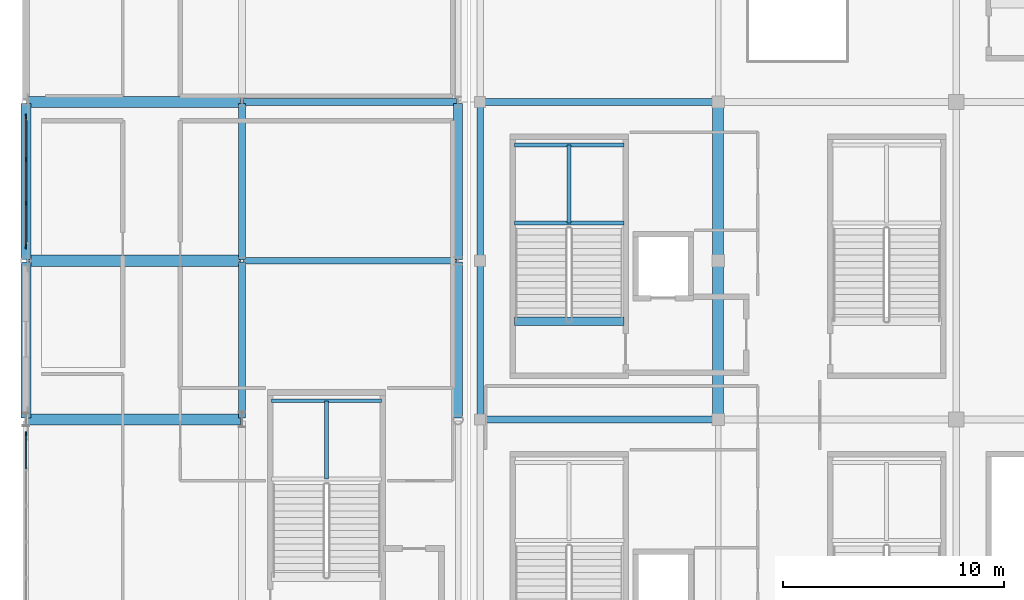
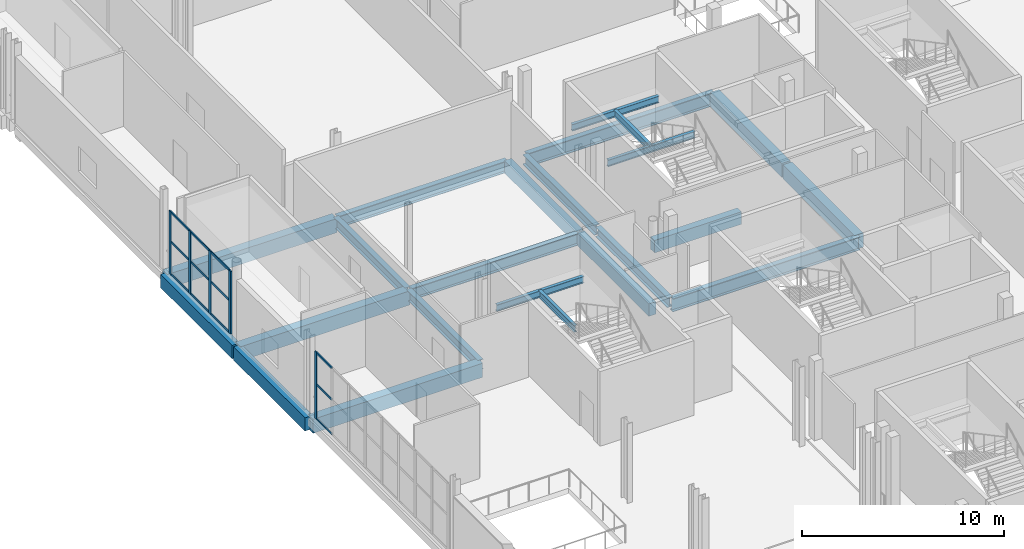
# One storey, part 30 of 129: 23 beams, 17 members, 2 elements without a shape of their own.
"""IFC4 building model written with IfcOpenShell, lengths in metres."""

from ifc_helpers import new_model, si_unit, direction, frame, origin, origin_2d, place, context, subcontext, project, spatial, rectangle, i_section, extrude, material, material_profile, profile_set, type_object, element, aggregate, save


model = new_model("IFC4")

# Units and contexts
model_context = context("Model", 3, precision=1e-05, world=origin(), true_north=direction((0.0, 1.0)))
body_context = subcontext(model_context, "Body", "Model", "MODEL_VIEW")
ifc_project = project(units=[si_unit("LENGTHUNIT", "METRE"), si_unit("AREAUNIT", "SQUARE_METRE"), si_unit("VOLUMEUNIT", "CUBIC_METRE"), si_unit("PLANEANGLEUNIT", "RADIAN"), si_unit("MASSUNIT", "GRAM", prefix="KILO")], contexts=[model_context])

# Site, building, storey
site_placement = place(None, origin())
site = spatial("IfcSite", under=ifc_project, at=site_placement, CompositionType="ELEMENT")
building_placement = place(site_placement, origin())
building = spatial("IfcBuilding", under=site, at=building_placement, Name="Koshinbarg Plaza Stadium", CompositionType="ELEMENT")
storey_placement = place(building_placement, frame((0.0, 0.0, 5.39990234375)))
storey = spatial("IfcBuildingStorey", under=building, at=storey_placement, Name="L01", CompositionType="ELEMENT", Elevation=5.39990234375)

# Beams
ifc_material_1 = material(Name="Concrete C40/50", Category="concrete")
ifc_material_profile_1 = material_profile(ifc_material_1, rectangle(XDim=0.39990234375, YDim=0.75, at=origin_2d()), Name="RC 400x750")
ifc_profile_set_1 = profile_set([ifc_material_profile_1], Name="Concrete C40/50")
beam_type_1 = type_object("IfcBeamType", Name="BM-RCG-03", PredefinedType="USERDEFINED", material=ifc_profile_set_1)
beam_1_placement = place(storey_placement, frame((23.60009765625, 97.56005859375, -0.69482421875), z_axis=(0.0, 1.0, 0.0), x_axis=(-1.0, 0.0, 0.0)))
element("IfcBeam", 1, at=beam_1_placement, inside=storey, type_object=beam_type_1, Name="L01 Y girder 4/N-P", ObjectType="GIRDER", PredefinedType="USERDEFINED", context=body_context, shape_type="SweptSolid", body=[
    extrude(rectangle(XDim=0.39990234375, YDim=0.75, at=origin_2d()), origin(), (0.0, 0.0, 1.0), 7.079833984375),
])
beam_2_placement = place(storey_placement, frame((23.60009765625, 104.760009765625, -0.69482421875), z_axis=(0.0, 1.0, 0.0), x_axis=(-1.0, 0.0, 0.0)))
element("IfcBeam", 2, at=beam_2_placement, inside=storey, type_object=beam_type_1, Name="L01 Y girder 4/P-Q", ObjectType="GIRDER", PredefinedType="USERDEFINED", context=body_context, shape_type="SweptSolid", body=[
    extrude(rectangle(XDim=0.39990234375, YDim=0.75, at=origin_2d()), origin(), (0.0, 0.0, 1.0), 7.080078125),
])
beam_3_placement = place(storey_placement, frame((26.14990234375, 101.9599609375, -0.375), z_axis=(1.0, 0.0, 0.0), x_axis=(0.0, 1.0, 0.0)))
element("IfcBeam", 3, at=beam_3_placement, inside=storey, type_object=beam_type_1, Name="L01 stair landing header beam C06", ObjectType="GIRDER", PredefinedType="USERDEFINED", context=body_context, shape_type="SweptSolid", body=[
    extrude(rectangle(XDim=0.39990234375, YDim=0.75, at=origin_2d()), origin(), (0.0, 0.0, 1.0), 4.97021484375),
])
ifc_material_profile_2 = material_profile(ifc_material_1, rectangle(XDim=0.449951171875, YDim=0.800048828125, at=origin_2d()), Name="RC 450x800")
ifc_profile_set_2 = profile_set([ifc_material_profile_2], Name="Concrete C40/50")
beam_type_2 = type_object("IfcBeamType", Name="BM-RCG-04", PredefinedType="USERDEFINED", material=ifc_profile_set_2)
beam_4_placement = place(storey_placement, frame((4.0, 97.56005859375, -0.719970703125), z_axis=(0.0, 1.0, 0.0), x_axis=(-1.0, 0.0, 0.0)))
element("IfcBeam", 4, at=beam_4_placement, inside=storey, type_object=beam_type_2, Name="L01 Y girder 2/N-P", ObjectType="GIRDER", PredefinedType="USERDEFINED", context=body_context, shape_type="SweptSolid", body=[
    extrude(rectangle(XDim=0.449951171875, YDim=0.800048828125, at=origin_2d()), origin(), (0.0, 0.0, 1.0), 7.079833984375),
])
beam_5_placement = place(storey_placement, frame((4.0, 104.760009765625, -0.719970703125), z_axis=(0.0, 1.0, 0.0), x_axis=(-1.0, 0.0, 0.0)))
element("IfcBeam", 5, at=beam_5_placement, inside=storey, type_object=beam_type_2, Name="L01 Y girder 2/P-Q", ObjectType="GIRDER", PredefinedType="USERDEFINED", context=body_context, shape_type="SweptSolid", body=[
    extrude(rectangle(XDim=0.449951171875, YDim=0.800048828125, at=origin_2d()), origin(), (0.0, 0.0, 1.0), 7.080078125),
])
ifc_material_profile_3 = material_profile(ifc_material_1, rectangle(XDim=0.5, YDim=0.85009765625, at=origin_2d()), Name="RC 500x850")
ifc_profile_set_3 = profile_set([ifc_material_profile_3], Name="Concrete C40/50")
beam_type_3 = type_object("IfcBeamType", Name="BM-RCG-05", PredefinedType="USERDEFINED", material=ifc_profile_set_3)
for number, where, z_axis, x_axis, name in (
    (6, (4.06005859375, 97.5, -0.744873046875), (1.0, 0.0, 0.0), (0.0, 1.0, 0.0), "L01 X girder N/2-3"),
    (7, (4.06005859375, 104.699951171875, -0.744873046875), (1.0, 0.0, 0.0), (0.0, 1.0, 0.0), "L01 X girder P/2-3"),
    (8, (4.06005859375, 111.89990234375, -0.744873046875), (1.0, 0.0, 0.0), (0.0, 1.0, 0.0), "L01 X girder Q/2-3"),
):
    element("IfcBeam", number, at=place(storey_placement, frame(where, z_axis=z_axis, x_axis=x_axis)), inside=storey, type_object=beam_type_3, Name=name, ObjectType="GIRDER", PredefinedType="USERDEFINED", context=body_context, shape_type="SweptSolid", body=[
        extrude(rectangle(XDim=0.5, YDim=0.85009765625, at=origin_2d()), origin(), (0.0, 0.0, 1.0), 9.679931640625),
    ])
beam_6_placement = place(storey_placement, frame((35.39990234375, 97.56005859375, -0.744873046875), z_axis=(0.0, 1.0, 0.0), x_axis=(-1.0, 0.0, 0.0)))
element("IfcBeam", 9, at=beam_6_placement, inside=storey, type_object=beam_type_3, Name="L01 Y girder 6/N-P", ObjectType="GIRDER", PredefinedType="USERDEFINED", context=body_context, shape_type="SweptSolid", body=[
    extrude(rectangle(XDim=0.5, YDim=0.85009765625, at=origin_2d()), origin(), (0.0, 0.0, 1.0), 7.079833984375),
])
beam_7_placement = place(storey_placement, frame((35.39990234375, 104.760009765625, -0.744873046875), z_axis=(0.0, 1.0, 0.0), x_axis=(-1.0, 0.0, 0.0)))
element("IfcBeam", 10, at=beam_7_placement, inside=storey, type_object=beam_type_3, Name="L01 Y girder 6/P-Q", ObjectType="GIRDER", PredefinedType="USERDEFINED", context=body_context, shape_type="SweptSolid", body=[
    extrude(rectangle(XDim=0.5, YDim=0.85009765625, at=origin_2d()), origin(), (0.0, 0.0, 1.0), 7.080078125),
])
ifc_material_2 = material(Name="Steel S355", Category="steel")
ifc_material_profile_4 = material_profile(ifc_material_2, i_section(OverallWidth=0.179931640625, OverallDepth=0.39990234375, WebThickness=0.008544921875, FlangeThickness=0.013427734375, at=origin_2d()), Name="IPE 400")
ifc_profile_set_4 = profile_set([ifc_material_profile_4], Name="Steel S355")
beam_type_4 = type_object("IfcBeamType", Name="BM-SBM-01", PredefinedType="BEAM", material=ifc_profile_set_4)
for number, where, z_axis, x_axis, name in (
    (11, (26.14990234375, 106.409912109375, 1.880126953125), (1.0, 0.0, 0.0), (0.0, 1.0, 0.0), "L01 Protected Exit Stair C06 landing trimmer beam 1"),
    (12, (26.14990234375, 109.949951171875, 1.880126953125), (1.0, 0.0, 0.0), (0.0, 1.0, 0.0), "L01 Protected Exit Stair C06 landing trimmer beam 2"),
):
    element("IfcBeam", number, at=place(storey_placement, frame(where, z_axis=z_axis, x_axis=x_axis)), inside=storey, type_object=beam_type_4, Name=name, PredefinedType="BEAM", context=body_context, shape_type="SweptSolid", body=[
        extrude(i_section(OverallWidth=0.179931640625, OverallDepth=0.39990234375, WebThickness=0.008544921875, FlangeThickness=0.013427734375, at=origin_2d()), origin(), (0.0, 0.0, 1.0), 4.97021484375),
    ])
beam_8_placement = place(storey_placement, frame((28.635009765625, 106.409912109375, 1.880126953125), z_axis=(0.0, 1.0, 0.0), x_axis=(-1.0, 0.0, 0.0)))
element("IfcBeam", 13, at=beam_8_placement, inside=storey, type_object=beam_type_4, Name="L01 Protected Exit Stair C06 landing trimmer beam 3", PredefinedType="BEAM", context=body_context, shape_type="SweptSolid", body=[
    extrude(i_section(OverallWidth=0.179931640625, OverallDepth=0.39990234375, WebThickness=0.008544921875, FlangeThickness=0.013427734375, at=origin_2d()), origin(), (0.0, 0.0, 1.0), 3.5400390625),
])
beam_9_placement = place(storey_placement, frame((15.14990234375, 98.35009765625, 1.880126953125), z_axis=(1.0, 0.0, 0.0), x_axis=(0.0, 1.0, 0.0)))
element("IfcBeam", 14, at=beam_9_placement, inside=storey, type_object=beam_type_4, Name="L01 Protected Exit Stair C15 landing trimmer beam 2", PredefinedType="BEAM", context=body_context, shape_type="SweptSolid", body=[
    extrude(i_section(OverallWidth=0.179931640625, OverallDepth=0.39990234375, WebThickness=0.008544921875, FlangeThickness=0.013427734375, at=origin_2d()), origin(), (0.0, 0.0, 1.0), 4.97021484375),
])
beam_10_placement = place(storey_placement, frame((17.635009765625, 94.81005859375, 1.880126953125), z_axis=(0.0, 1.0, 0.0), x_axis=(-1.0, 0.0, 0.0)))
element("IfcBeam", 15, at=beam_10_placement, inside=storey, type_object=beam_type_4, Name="L01 Protected Exit Stair C15 landing trimmer beam 3", PredefinedType="BEAM", context=body_context, shape_type="SweptSolid", body=[
    extrude(i_section(OverallWidth=0.179931640625, OverallDepth=0.39990234375, WebThickness=0.008544921875, FlangeThickness=0.013427734375, at=origin_2d()), origin(), (0.0, 0.0, 1.0), 3.5400390625),
])
ifc_material_profile_5 = material_profile(ifc_material_2, i_section(OverallWidth=0.300048828125, OverallDepth=0.60009765625, WebThickness=0.015380859375, FlangeThickness=0.030029296875, at=origin_2d()), Name="HEB 600")
ifc_profile_set_5 = profile_set([ifc_material_profile_5], Name="Steel S355")
beam_type_5 = type_object("IfcBeamType", Name="BM-SGIR-02", PredefinedType="USERDEFINED", material=ifc_profile_set_5)
beam_11_placement = place(storey_placement, frame((13.800048828125, 97.56005859375, -0.619873046875), z_axis=(0.0, 1.0, 0.0), x_axis=(-1.0, 0.0, 0.0)))
element("IfcBeam", 16, at=beam_11_placement, inside=storey, type_object=beam_type_5, Name="L01 Y girder 3/N-P", ObjectType="GIRDER", PredefinedType="USERDEFINED", context=body_context, shape_type="SweptSolid", body=[
    extrude(i_section(OverallWidth=0.300048828125, OverallDepth=0.60009765625, WebThickness=0.015380859375, FlangeThickness=0.030029296875, at=origin_2d()), origin(), (0.0, 0.0, 1.0), 7.079833984375),
])
beam_12_placement = place(storey_placement, frame((13.800048828125, 104.760009765625, -0.619873046875), z_axis=(0.0, 1.0, 0.0), x_axis=(-1.0, 0.0, 0.0)))
element("IfcBeam", 17, at=beam_12_placement, inside=storey, type_object=beam_type_5, Name="L01 Y girder 3/P-Q", ObjectType="GIRDER", PredefinedType="USERDEFINED", context=body_context, shape_type="SweptSolid", body=[
    extrude(i_section(OverallWidth=0.300048828125, OverallDepth=0.60009765625, WebThickness=0.015380859375, FlangeThickness=0.030029296875, at=origin_2d()), origin(), (0.0, 0.0, 1.0), 7.080078125),
])
beam_13_placement = place(storey_placement, frame((24.60009765625, 97.56005859375, -0.619873046875), z_axis=(0.0, 1.0, 0.0), x_axis=(-1.0, 0.0, 0.0)))
element("IfcBeam", 18, at=beam_13_placement, inside=storey, type_object=beam_type_5, Name="L01 Y girder 5/N-P", ObjectType="GIRDER", PredefinedType="USERDEFINED", context=body_context, shape_type="SweptSolid", body=[
    extrude(i_section(OverallWidth=0.300048828125, OverallDepth=0.60009765625, WebThickness=0.015380859375, FlangeThickness=0.030029296875, at=origin_2d()), origin(), (0.0, 0.0, 1.0), 7.079833984375),
])
beam_14_placement = place(storey_placement, frame((24.60009765625, 104.760009765625, -0.619873046875), z_axis=(0.0, 1.0, 0.0), x_axis=(-1.0, 0.0, 0.0)))
element("IfcBeam", 19, at=beam_14_placement, inside=storey, type_object=beam_type_5, Name="L01 Y girder 5/P-Q", ObjectType="GIRDER", PredefinedType="USERDEFINED", context=body_context, shape_type="SweptSolid", body=[
    extrude(i_section(OverallWidth=0.300048828125, OverallDepth=0.60009765625, WebThickness=0.015380859375, FlangeThickness=0.030029296875, at=origin_2d()), origin(), (0.0, 0.0, 1.0), 7.080078125),
])
ifc_material_profile_6 = material_profile(ifc_material_2, i_section(OverallWidth=0.300048828125, OverallDepth=0.699951171875, WebThickness=0.01708984375, FlangeThickness=0.031982421875, at=origin_2d()), Name="HEB 700")
ifc_profile_set_6 = profile_set([ifc_material_profile_6], Name="Steel S355")
beam_type_6 = type_object("IfcBeamType", Name="BM-SGIR-03", PredefinedType="USERDEFINED", material=ifc_profile_set_6)
for number, where, z_axis, x_axis, name in (
    (20, (13.860107421875, 104.699951171875, -0.669921875), (1.0, 0.0, 0.0), (0.0, 1.0, 0.0), "L01 X girder P/3-4"),
    (21, (13.860107421875, 111.89990234375, -0.669921875), (1.0, 0.0, 0.0), (0.0, 1.0, 0.0), "L01 X girder Q/3-4"),
):
    element("IfcBeam", number, at=place(storey_placement, frame(where, z_axis=z_axis, x_axis=x_axis)), inside=storey, type_object=beam_type_6, Name=name, ObjectType="GIRDER", PredefinedType="USERDEFINED", context=body_context, shape_type="SweptSolid", body=[
        extrude(i_section(OverallWidth=0.300048828125, OverallDepth=0.699951171875, WebThickness=0.01708984375, FlangeThickness=0.031982421875, at=origin_2d()), origin(), (0.0, 0.0, 1.0), 9.679931640625),
    ])
ifc_material_profile_7 = material_profile(ifc_material_2, i_section(OverallWidth=0.300048828125, OverallDepth=0.800048828125, WebThickness=0.017578125, FlangeThickness=0.032958984375, at=origin_2d()), Name="HEB 800")
ifc_profile_set_7 = profile_set([ifc_material_profile_7], Name="Steel S355")
beam_type_7 = type_object("IfcBeamType", Name="BM-SGIR-04", PredefinedType="USERDEFINED", material=ifc_profile_set_7)
for number, where, z_axis, x_axis, name in (
    (22, (24.659912109375, 97.5, -0.719970703125), (1.0, 0.0, 0.0), (0.0, 1.0, 0.0), "L01 X girder N/5-6"),
    (23, (24.659912109375, 111.89990234375, -0.719970703125), (1.0, 0.0, 0.0), (0.0, 1.0, 0.0), "L01 X girder Q/5-6"),
):
    element("IfcBeam", number, at=place(storey_placement, frame(where, z_axis=z_axis, x_axis=x_axis)), inside=storey, type_object=beam_type_7, Name=name, ObjectType="GIRDER", PredefinedType="USERDEFINED", context=body_context, shape_type="SweptSolid", body=[
        extrude(i_section(OverallWidth=0.300048828125, OverallDepth=0.800048828125, WebThickness=0.017578125, FlangeThickness=0.032958984375, at=origin_2d()), origin(), (0.0, 0.0, 1.0), 10.68017578125),
    ])

# Curtain wall, member
ifc_material_3 = material(Name="Thermally broken anodised aluminium and low-E double glazing", Category="aluminium")
curtain_wall_type_1 = type_object("IfcCurtainWallType", Name="CW-SYS-07", PredefinedType="NOTDEFINED", material=ifc_material_3)
curtain_wall_1_placement = place(storey_placement, origin())
curtain_wall_1 = element("IfcCurtainWall", 24, at=curtain_wall_1_placement, inside=storey, type_object=curtain_wall_type_1, Name="L01 unitised curtain wall CW-L01-006", PredefinedType="NOTDEFINED")
ifc_material_4 = material(Name="Anodised aluminium mullion", Category="aluminium")
ifc_material_profile_8 = material_profile(ifc_material_4, rectangle(XDim=0.070068359375, YDim=0.179931640625, at=origin_2d()), Name="ALU 70x180")
ifc_profile_set_8 = profile_set([ifc_material_profile_8], Name="Anodised aluminium mullion")
member_type_1 = type_object("IfcMemberType", Name="CW-MUL-03", PredefinedType="MULLION", material=ifc_profile_set_8)
member_1_placement = place(storey_placement, frame((4.0, 96.85009765625, 0.0), z_axis=(0.0, 0.0, 1.0), x_axis=(-1.0, 0.0, 0.0)))
member_1 = element("IfcMember", 25, at=member_1_placement, type_object=member_type_1, Name="CW07 mullion 9", PredefinedType="MULLION", context=body_context, shape_type="SweptSolid", body=[
    extrude(rectangle(XDim=0.070068359375, YDim=0.179931640625, at=origin_2d()), origin(), (0.0, 0.0, 1.0), 4.030029296875),
])

# Curtain wall, members
curtain_wall_type_2 = type_object("IfcCurtainWallType", Name="CW-SYS-08", PredefinedType="NOTDEFINED", material=ifc_material_3)
curtain_wall_2_placement = place(storey_placement, origin())
curtain_wall_2 = element("IfcCurtainWall", 26, at=curtain_wall_2_placement, inside=storey, type_object=curtain_wall_type_2, Name="L01 unitised curtain wall CW-L01-007", PredefinedType="NOTDEFINED")
ifc_material_profile_9 = material_profile(ifc_material_4, rectangle(XDim=0.070068359375, YDim=0.199951171875, at=origin_2d()), Name="ALU 70x200")
ifc_profile_set_9 = profile_set([ifc_material_profile_9], Name="Anodised aluminium mullion")
member_type_2 = type_object("IfcMemberType", Name="CW-MUL-04", PredefinedType="MULLION", material=ifc_profile_set_9)
member_2_placement = place(storey_placement, frame((4.0, 105.35009765625, 0.0), z_axis=(0.0, 0.0, 1.0), x_axis=(-1.0, 0.0, 0.0)))
member_2 = element("IfcMember", 27, at=member_2_placement, type_object=member_type_2, Name="CW08 mullion 1", PredefinedType="MULLION", context=body_context, shape_type="SweptSolid", body=[
    extrude(rectangle(XDim=0.070068359375, YDim=0.199951171875, at=origin_2d()), origin(), (0.0, 0.0, 1.0), 3.780029296875),
])
member_3_placement = place(storey_placement, frame((4.0, 107.306640625, 0.0), z_axis=(0.0, 0.0, 1.0), x_axis=(-1.0, 0.0, 0.0)))
member_3 = element("IfcMember", 28, at=member_3_placement, type_object=member_type_2, Name="CW08 mullion 2", PredefinedType="MULLION", context=body_context, shape_type="SweptSolid", body=[
    extrude(rectangle(XDim=0.070068359375, YDim=0.199951171875, at=origin_2d()), origin(), (0.0, 0.0, 1.0), 3.780029296875),
])
member_4_placement = place(storey_placement, frame((4.0, 109.293212890625, 0.0), z_axis=(0.0, 0.0, 1.0), x_axis=(-1.0, 0.0, 0.0)))
member_4 = element("IfcMember", 29, at=member_4_placement, type_object=member_type_2, Name="CW08 mullion 3", PredefinedType="MULLION", context=body_context, shape_type="SweptSolid", body=[
    extrude(rectangle(XDim=0.070068359375, YDim=0.199951171875, at=origin_2d()), origin(), (0.0, 0.0, 1.0), 3.780029296875),
])
member_5_placement = place(storey_placement, frame((4.0, 111.25, 0.0), z_axis=(0.0, 0.0, 1.0), x_axis=(-1.0, 0.0, 0.0)))
member_5 = element("IfcMember", 30, at=member_5_placement, type_object=member_type_2, Name="CW08 mullion 4", PredefinedType="MULLION", context=body_context, shape_type="SweptSolid", body=[
    extrude(rectangle(XDim=0.070068359375, YDim=0.199951171875, at=origin_2d()), origin(), (0.0, 0.0, 1.0), 3.780029296875),
])

# Member
ifc_material_5 = material(Name="Anodised aluminium transom", Category="aluminium")
ifc_material_profile_10 = material_profile(ifc_material_5, rectangle(XDim=0.06005859375, YDim=0.110107421875, at=origin_2d()), Name="ALU 60x110")
ifc_profile_set_10 = profile_set([ifc_material_profile_10], Name="Anodised aluminium transom")
member_type_3 = type_object("IfcMemberType", Name="CW-TRN-01", PredefinedType="USERDEFINED", material=ifc_profile_set_10)
member_6_placement = place(storey_placement, frame((4.0, 95.264892578125, 0.030029296875), z_axis=(0.0, 1.0, 0.0), x_axis=(-1.0, 0.0, 0.0)))
member_6 = element("IfcMember", 31, at=member_6_placement, type_object=member_type_3, Name="CW07 transom 8.1", ObjectType="TRANSOM", PredefinedType="USERDEFINED", context=body_context, shape_type="SweptSolid", body=[
    extrude(rectangle(XDim=0.06005859375, YDim=0.110107421875, at=origin_2d()), origin(), (0.0, 0.0, 1.0), 1.55517578125),
])

member_7_placement = place(storey_placement, frame((4.0, 95.264892578125, 2.095703125), z_axis=(0.0, 1.0, 0.0), x_axis=(-1.0, 0.0, 0.0)))
member_7 = element("IfcMember", 32, at=member_7_placement, type_object=member_type_3, Name="CW07 transom 8.2", ObjectType="TRANSOM", PredefinedType="USERDEFINED", context=body_context, shape_type="SweptSolid", body=[
    extrude(rectangle(XDim=0.06005859375, YDim=0.110107421875, at=origin_2d()), origin(), (0.0, 0.0, 1.0), 1.55517578125),
])

member_8_placement = place(storey_placement, frame((4.0, 95.264892578125, 4.0), z_axis=(0.0, 1.0, 0.0), x_axis=(-1.0, 0.0, 0.0)))
member_8 = element("IfcMember", 33, at=member_8_placement, type_object=member_type_3, Name="CW07 transom 8.3", ObjectType="TRANSOM", PredefinedType="USERDEFINED", context=body_context, shape_type="SweptSolid", body=[
    extrude(rectangle(XDim=0.06005859375, YDim=0.110107421875, at=origin_2d()), origin(), (0.0, 0.0, 1.0), 1.55517578125),
])

aggregate(curtain_wall_1, [member_1, member_6, member_7, member_8])

ifc_material_profile_11 = material_profile(ifc_material_5, rectangle(XDim=0.06005859375, YDim=0.1298828125, at=origin_2d()), Name="ALU 60x130")
ifc_profile_set_11 = profile_set([ifc_material_profile_11], Name="Anodised aluminium transom")
member_type_4 = type_object("IfcMemberType", Name="CW-TRN-02", PredefinedType="USERDEFINED", material=ifc_profile_set_11)
member_9_placement = place(storey_placement, frame((4.0, 105.3798828125, 0.030029296875), z_axis=(0.0, 1.0, 0.0), x_axis=(-1.0, 0.0, 0.0)))
member_9 = element("IfcMember", 34, at=member_9_placement, type_object=member_type_4, Name="CW08 transom 1.1", ObjectType="TRANSOM", PredefinedType="USERDEFINED", context=body_context, shape_type="SweptSolid", body=[
    extrude(rectangle(XDim=0.06005859375, YDim=0.1298828125, at=origin_2d()), origin(), (0.0, 0.0, 1.0), 1.896728515625),
])

member_10_placement = place(storey_placement, frame((4.0, 105.3798828125, 1.965576171875), z_axis=(0.0, 1.0, 0.0), x_axis=(-1.0, 0.0, 0.0)))
member_10 = element("IfcMember", 35, at=member_10_placement, type_object=member_type_4, Name="CW08 transom 1.2", ObjectType="TRANSOM", PredefinedType="USERDEFINED", context=body_context, shape_type="SweptSolid", body=[
    extrude(rectangle(XDim=0.06005859375, YDim=0.1298828125, at=origin_2d()), origin(), (0.0, 0.0, 1.0), 1.896728515625),
])

member_11_placement = place(storey_placement, frame((4.0, 105.3798828125, 3.75), z_axis=(0.0, 1.0, 0.0), x_axis=(-1.0, 0.0, 0.0)))
member_11 = element("IfcMember", 36, at=member_11_placement, type_object=member_type_4, Name="CW08 transom 1.3", ObjectType="TRANSOM", PredefinedType="USERDEFINED", context=body_context, shape_type="SweptSolid", body=[
    extrude(rectangle(XDim=0.06005859375, YDim=0.1298828125, at=origin_2d()), origin(), (0.0, 0.0, 1.0), 1.896728515625),
])

member_12_placement = place(storey_placement, frame((4.0, 107.336669921875, 0.030029296875), z_axis=(0.0, 1.0, 0.0), x_axis=(-1.0, 0.0, 0.0)))
member_12 = element("IfcMember", 37, at=member_12_placement, type_object=member_type_4, Name="CW08 transom 2.1", ObjectType="TRANSOM", PredefinedType="USERDEFINED", context=body_context, shape_type="SweptSolid", body=[
    extrude(rectangle(XDim=0.06005859375, YDim=0.1298828125, at=origin_2d()), origin(), (0.0, 0.0, 1.0), 1.9267578125),
])

member_13_placement = place(storey_placement, frame((4.0, 107.336669921875, 1.965576171875), z_axis=(0.0, 1.0, 0.0), x_axis=(-1.0, 0.0, 0.0)))
member_13 = element("IfcMember", 38, at=member_13_placement, type_object=member_type_4, Name="CW08 transom 2.2", ObjectType="TRANSOM", PredefinedType="USERDEFINED", context=body_context, shape_type="SweptSolid", body=[
    extrude(rectangle(XDim=0.06005859375, YDim=0.1298828125, at=origin_2d()), origin(), (0.0, 0.0, 1.0), 1.9267578125),
])

member_14_placement = place(storey_placement, frame((4.0, 107.336669921875, 3.75), z_axis=(0.0, 1.0, 0.0), x_axis=(-1.0, 0.0, 0.0)))
member_14 = element("IfcMember", 39, at=member_14_placement, type_object=member_type_4, Name="CW08 transom 2.3", ObjectType="TRANSOM", PredefinedType="USERDEFINED", context=body_context, shape_type="SweptSolid", body=[
    extrude(rectangle(XDim=0.06005859375, YDim=0.1298828125, at=origin_2d()), origin(), (0.0, 0.0, 1.0), 1.9267578125),
])

member_15_placement = place(storey_placement, frame((4.0, 109.3232421875, 0.030029296875), z_axis=(0.0, 1.0, 0.0), x_axis=(-1.0, 0.0, 0.0)))
member_15 = element("IfcMember", 40, at=member_15_placement, type_object=member_type_4, Name="CW08 transom 3.1", ObjectType="TRANSOM", PredefinedType="USERDEFINED", context=body_context, shape_type="SweptSolid", body=[
    extrude(rectangle(XDim=0.06005859375, YDim=0.1298828125, at=origin_2d()), origin(), (0.0, 0.0, 1.0), 1.896728515625),
])

member_16_placement = place(storey_placement, frame((4.0, 109.3232421875, 1.965576171875), z_axis=(0.0, 1.0, 0.0), x_axis=(-1.0, 0.0, 0.0)))
member_16 = element("IfcMember", 41, at=member_16_placement, type_object=member_type_4, Name="CW08 transom 3.2", ObjectType="TRANSOM", PredefinedType="USERDEFINED", context=body_context, shape_type="SweptSolid", body=[
    extrude(rectangle(XDim=0.06005859375, YDim=0.1298828125, at=origin_2d()), origin(), (0.0, 0.0, 1.0), 1.896728515625),
])

member_17_placement = place(storey_placement, frame((4.0, 109.3232421875, 3.75), z_axis=(0.0, 1.0, 0.0), x_axis=(-1.0, 0.0, 0.0)))
member_17 = element("IfcMember", 42, at=member_17_placement, type_object=member_type_4, Name="CW08 transom 3.3", ObjectType="TRANSOM", PredefinedType="USERDEFINED", context=body_context, shape_type="SweptSolid", body=[
    extrude(rectangle(XDim=0.06005859375, YDim=0.1298828125, at=origin_2d()), origin(), (0.0, 0.0, 1.0), 1.896728515625),
])

aggregate(curtain_wall_2, [member_2, member_3, member_4, member_5, member_9, member_10, member_11, member_12, member_13, member_14, member_15, member_16, member_17])

save(model, "model.ifc")
